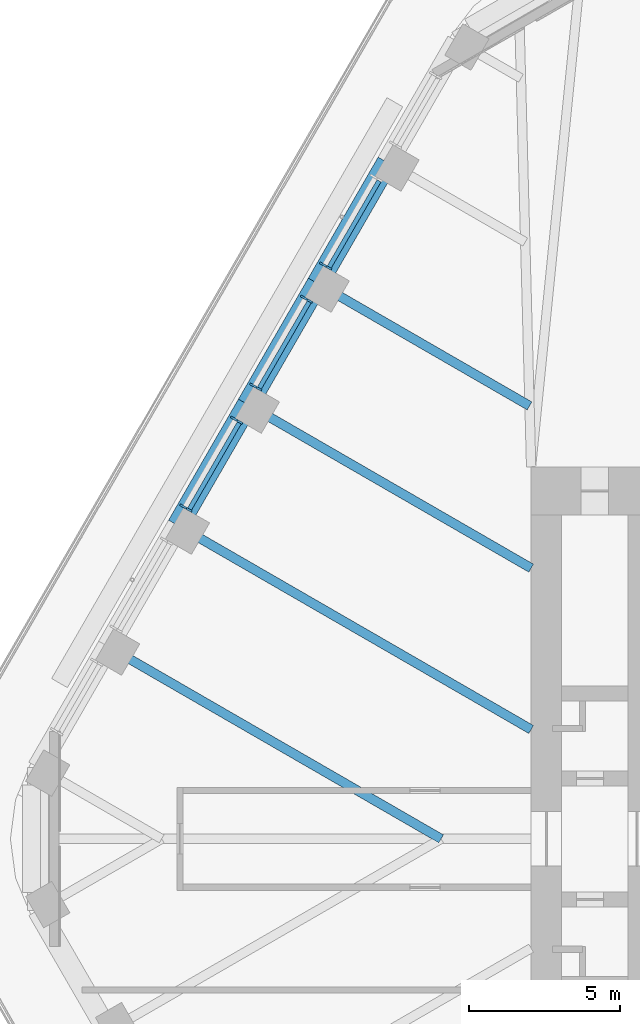
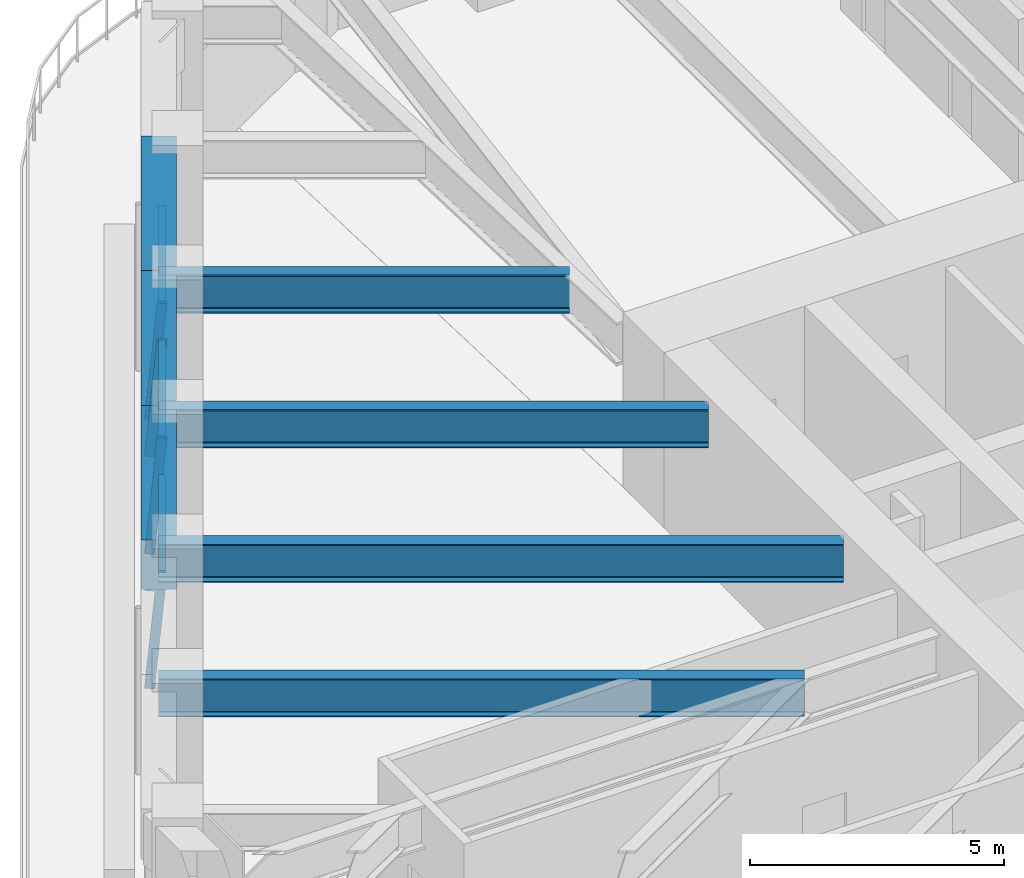
# One storey, part 7 of 20: 8 members, 7 beams, 3 elements without a shape of their own.
"""IFC4 building model written with IfcOpenShell, lengths in metres."""

from ifc_helpers import new_model, si_unit, direction, frame, origin, origin_2d, place, context, subcontext, project, spatial, rectangle, i_section, extrude, material, material_profile, profile_set, type_object, element, aggregate, save


model = new_model("IFC4")

# Units and contexts
model_context = context("Model", 3, precision=1e-05, world=origin(), true_north=direction((0.0, 1.0)))
body_context = subcontext(model_context, "Body", "Model", "MODEL_VIEW")
ifc_project = project(units=[si_unit("LENGTHUNIT", "METRE"), si_unit("AREAUNIT", "SQUARE_METRE"), si_unit("VOLUMEUNIT", "CUBIC_METRE"), si_unit("PLANEANGLEUNIT", "RADIAN"), si_unit("MASSUNIT", "GRAM", prefix="KILO")], contexts=[model_context])

# Site, building, storey
site_placement = place(None, origin())
site = spatial("IfcSite", under=ifc_project, at=site_placement, CompositionType="ELEMENT")
building_placement = place(site_placement, origin())
building = spatial("IfcBuilding", under=site, at=building_placement, Name="Tarfa Lantern Tower", CompositionType="ELEMENT")
storey_placement = place(building_placement, frame((0.0, 0.0, 257.5)))
storey = spatial("IfcBuildingStorey", under=building, at=storey_placement, Name="L58", CompositionType="ELEMENT", Elevation=257.5)

# Curtain wall, member
ifc_material_1 = material(Name="Aluminium framed curtain wall", Category="aluminium")
curtain_wall_type = type_object("IfcCurtainWallType", Name="CW3 CANTED GLAZING HIGH ZONE 2800", PredefinedType="USERDEFINED", material=ifc_material_1)
curtain_wall_1_placement = place(storey_placement, origin())
curtain_wall_1 = element("IfcCurtainWall", 1, at=curtain_wall_1_placement, inside=storey, type_object=curtain_wall_type, Name="CW3 NW L58", ObjectType="CURTAIN WALL", PredefinedType="USERDEFINED")
ifc_material_2 = material(Name="Aluminium mullion", Category="aluminium")
ifc_material_profile_1 = material_profile(ifc_material_2, rectangle(XDim=0.06494140625, YDim=0.199951171875, at=origin_2d()), Name="AL MULLION 65x200")
ifc_profile_set_1 = profile_set([ifc_material_profile_1], Name="Aluminium mullion")
member_type_1 = type_object("IfcMemberType", Name="CWM1 MULLION 65x200", PredefinedType="MULLION", material=ifc_profile_set_1)
member_1_placement = place(storey_placement, frame((-22.402587890625, 18.997802734375, 0.0), z_axis=(0.077032386753, -0.044465143199, 0.996036576854), x_axis=(0.499919672301, 0.866071776036, 0.0)))
member_1 = element("IfcMember", 2, at=member_1_placement, type_object=member_type_1, Name="CW3 mullion 2", PredefinedType="MULLION", context=body_context, shape_type="SweptSolid", body=[
    extrude(rectangle(XDim=0.06494140625, YDim=0.199951171875, at=origin_2d()), origin(), (0.0, 0.0, 1.0), 2.811279296875),
])

# Curtain wall, members
curtain_wall_2_placement = place(storey_placement, origin())
curtain_wall_2 = element("IfcCurtainWall", 3, at=curtain_wall_2_placement, inside=storey, type_object=curtain_wall_type, Name="CW3 NW L58", ObjectType="CURTAIN WALL", PredefinedType="USERDEFINED")
member_2_placement = place(storey_placement, frame((-23.034912109375, 17.90234375, 0.0), z_axis=(0.077032386753, -0.044465143199, 0.996036576854), x_axis=(0.499919672301, 0.866071776036, 0.0)))
member_2 = element("IfcMember", 4, at=member_2_placement, type_object=member_type_1, Name="CW3 mullion 1", PredefinedType="MULLION", context=body_context, shape_type="SweptSolid", body=[
    extrude(rectangle(XDim=0.06494140625, YDim=0.199951171875, at=origin_2d()), origin(), (0.0, 0.0, 1.0), 2.811279296875),
])
member_3_placement = place(storey_placement, frame((-24.7119140625, 14.997802734375, 0.0), z_axis=(0.077032386753, -0.044465143199, 0.996036576854), x_axis=(0.499919672301, 0.866071776036, 0.0)))
member_3 = element("IfcMember", 5, at=member_3_placement, type_object=member_type_1, Name="CW3 mullion 2", PredefinedType="MULLION", context=body_context, shape_type="SweptSolid", body=[
    extrude(rectangle(XDim=0.06494140625, YDim=0.199951171875, at=origin_2d()), origin(), (0.0, 0.0, 1.0), 2.811279296875),
])

curtain_wall_3_placement = place(storey_placement, origin())
curtain_wall_3 = element("IfcCurtainWall", 6, at=curtain_wall_3_placement, inside=storey, type_object=curtain_wall_type, Name="CW3 NW L58", ObjectType="CURTAIN WALL", PredefinedType="USERDEFINED")
member_4_placement = place(storey_placement, frame((-25.344482421875, 13.90234375, 0.0), z_axis=(0.077032386753, -0.044465143199, 0.996036576854), x_axis=(0.499919672301, 0.866071776036, 0.0)))
member_4 = element("IfcMember", 7, at=member_4_placement, type_object=member_type_1, Name="CW3 mullion 1", PredefinedType="MULLION", context=body_context, shape_type="SweptSolid", body=[
    extrude(rectangle(XDim=0.06494140625, YDim=0.199951171875, at=origin_2d()), origin(), (0.0, 0.0, 1.0), 2.811279296875),
])
member_5_placement = place(storey_placement, frame((-27.021240234375, 10.997802734375, 0.0), z_axis=(0.077032386753, -0.044465143199, 0.996036576854), x_axis=(0.499919672301, 0.866071776036, 0.0)))
member_5 = element("IfcMember", 8, at=member_5_placement, type_object=member_type_1, Name="CW3 mullion 2", PredefinedType="MULLION", context=body_context, shape_type="SweptSolid", body=[
    extrude(rectangle(XDim=0.06494140625, YDim=0.199951171875, at=origin_2d()), origin(), (0.0, 0.0, 1.0), 2.811279296875),
])

# Member
ifc_material_3 = material(Name="Aluminium transom", Category="aluminium")
ifc_material_profile_2 = material_profile(ifc_material_3, rectangle(XDim=0.14990234375, YDim=0.06494140625, at=origin_2d()), Name="AL TRANSOM 150x65")
ifc_profile_set_2 = profile_set([ifc_material_profile_2], Name="Aluminium transom")
member_type_2 = type_object("IfcMemberType", Name="CWT1 TRANSOM 150x65", PredefinedType="USERDEFINED", material=ifc_profile_set_2)
member_6_placement = place(storey_placement, frame((-20.52783203125, 21.75048828125, 2.767578125), z_axis=(-0.499979497339, -0.866037240677, 0.0), x_axis=(0.866037240677, -0.499979497339, 0.0)))
member_6 = element("IfcMember", 9, at=member_6_placement, type_object=member_type_2, Name="CW3 transom 1.2", ObjectType="TRANSOM", PredefinedType="USERDEFINED", context=body_context, shape_type="SweptSolid", body=[
    extrude(rectangle(XDim=0.14990234375, YDim=0.06494140625, at=origin_2d()), origin(), (0.0, 0.0, 1.0), 3.288818359375),
])

aggregate(curtain_wall_1, [member_1, member_6])

member_7_placement = place(storey_placement, frame((-22.837158203125, 17.75048828125, 2.767578125), z_axis=(-0.500035172766, -0.866005095826, 0.0), x_axis=(0.866005095826, -0.500035172766, 0.0)))
member_7 = element("IfcMember", 10, at=member_7_placement, type_object=member_type_2, Name="CW3 transom 1.2", ObjectType="TRANSOM", PredefinedType="USERDEFINED", context=body_context, shape_type="SweptSolid", body=[
    extrude(rectangle(XDim=0.14990234375, YDim=0.06494140625, at=origin_2d()), origin(), (0.0, 0.0, 1.0), 3.288818359375),
])

aggregate(curtain_wall_2, [member_2, member_3, member_7])

member_8_placement = place(storey_placement, frame((-25.146728515625, 13.75048828125, 2.767578125), z_axis=(-0.499979497339, -0.866037240677, 0.0), x_axis=(0.866037240677, -0.499979497339, 0.0)))
member_8 = element("IfcMember", 11, at=member_8_placement, type_object=member_type_2, Name="CW3 transom 1.2", ObjectType="TRANSOM", PredefinedType="USERDEFINED", context=body_context, shape_type="SweptSolid", body=[
    extrude(rectangle(XDim=0.14990234375, YDim=0.06494140625, at=origin_2d()), origin(), (0.0, 0.0, 1.0), 3.288818359375),
])

aggregate(curtain_wall_3, [member_4, member_5, member_8])

# Beams
ifc_material_4 = material(Name="Concrete C80/95", Category="concrete")
ifc_material_profile_3 = material_profile(ifc_material_4, rectangle(XDim=0.699951171875, YDim=1.199951171875, at=origin_2d()), Name="RC 700x1200")
ifc_profile_set_3 = profile_set([ifc_material_profile_3], Name="Concrete C80/95")
beam_type_1 = type_object("IfcBeamType", Name="EB3 RC 700x1200", PredefinedType="SPANDREL", material=ifc_profile_set_3)
beam_1_placement = place(storey_placement, frame((-20.25341796875, 22.360107421875, 3.39990234375), z_axis=(-0.499987836815, -0.866032426089, 0.0), x_axis=(0.866032426089, -0.499987836815, 0.0)))
element("IfcBeam", 12, at=beam_1_placement, inside=storey, type_object=beam_type_1, Name="Edge beam NW1", PredefinedType="SPANDREL", context=body_context, shape_type="SweptSolid", body=[
    extrude(rectangle(XDim=0.699951171875, YDim=1.199951171875, at=origin_2d()), origin(), (0.0, 0.0, 1.0), 4.61865234375),
])
beam_2_placement = place(storey_placement, frame((-22.562744140625, 18.360107421875, 3.39990234375), z_axis=(-0.500027479704, -0.866009537788, 0.0), x_axis=(0.866009537788, -0.500027479704, 0.0)))
element("IfcBeam", 13, at=beam_2_placement, inside=storey, type_object=beam_type_1, Name="Edge beam NW2", PredefinedType="SPANDREL", context=body_context, shape_type="SweptSolid", body=[
    extrude(rectangle(XDim=0.699951171875, YDim=1.199951171875, at=origin_2d()), origin(), (0.0, 0.0, 1.0), 4.618896484375),
])
beam_3_placement = place(storey_placement, frame((-24.872314453125, 14.360107421875, 3.39990234375), z_axis=(-0.499987836815, -0.866032426089, 0.0), x_axis=(0.866032426089, -0.499987836815, 0.0)))
element("IfcBeam", 14, at=beam_3_placement, inside=storey, type_object=beam_type_1, Name="Edge beam NW3", PredefinedType="SPANDREL", context=body_context, shape_type="SweptSolid", body=[
    extrude(rectangle(XDim=0.699951171875, YDim=1.199951171875, at=origin_2d()), origin(), (0.0, 0.0, 1.0), 4.61865234375),
])
ifc_material_5 = material(Name="Steel S460M", Category="steel")
ifc_material_profile_4 = material_profile(ifc_material_5, i_section(OverallWidth=0.305419921875, OverallDepth=0.91845703125, WebThickness=0.017333984375, FlangeThickness=0.02783203125, FilletRadius=0.01904296875, at=origin_2d()), Name="UB914x305x253")
ifc_profile_set_4 = profile_set([ifc_material_profile_4], Name="Steel S460M")
beam_type_2 = type_object("IfcBeamType", Name="UB914x305x253", PredefinedType="BEAM", material=ifc_profile_set_4)
beam_4_placement = place(storey_placement, frame((-22.562744140625, 18.360107421875, 3.540771484375), z_axis=(0.866010787764, -0.500025314835, 0.0), x_axis=(0.500025314835, 0.866010787764, 0.0)))
element("IfcBeam", 15, at=beam_4_placement, inside=storey, type_object=beam_type_2, Name="Floor beam NW2", PredefinedType="BEAM", context=body_context, shape_type="SweptSolid", body=[
    extrude(i_section(OverallWidth=0.305419921875, OverallDepth=0.91845703125, WebThickness=0.017333984375, FlangeThickness=0.02783203125, FilletRadius=0.01904296875, at=origin_2d()), origin(), (0.0, 0.0, 1.0), 8.09423828125),
])
beam_5_placement = place(storey_placement, frame((-24.872314453125, 14.360107421875, 3.540771484375), z_axis=(0.8660244219, -0.500001700669, 0.0), x_axis=(0.500001700669, 0.8660244219, 0.0)))
element("IfcBeam", 16, at=beam_5_placement, inside=storey, type_object=beam_type_2, Name="Floor beam NW3", PredefinedType="BEAM", context=body_context, shape_type="SweptSolid", body=[
    extrude(i_section(OverallWidth=0.305419921875, OverallDepth=0.91845703125, WebThickness=0.017333984375, FlangeThickness=0.02783203125, FilletRadius=0.01904296875, at=origin_2d()), origin(), (0.0, 0.0, 1.0), 10.822265625),
])
beam_6_placement = place(storey_placement, frame((-27.181640625, 10.360107421875, 3.540771484375), z_axis=(0.866018002818, -0.500012818631, 0.0), x_axis=(0.500012818631, 0.866018002818, 0.0)))
element("IfcBeam", 17, at=beam_6_placement, inside=storey, type_object=beam_type_2, Name="Floor beam NW4", PredefinedType="BEAM", context=body_context, shape_type="SweptSolid", body=[
    extrude(i_section(OverallWidth=0.305419921875, OverallDepth=0.91845703125, WebThickness=0.017333984375, FlangeThickness=0.02783203125, FilletRadius=0.01904296875, at=origin_2d()), origin(), (0.0, 0.0, 1.0), 13.489013671875),
])
beam_7_placement = place(storey_placement, frame((-29.490966796875, 6.360107421875, 3.540771484375), z_axis=(0.866022258038, -0.500005448553, 0.0), x_axis=(0.500005448553, 0.866022258038, 0.0)))
element("IfcBeam", 18, at=beam_7_placement, inside=storey, type_object=beam_type_2, Name="Floor beam NW5", PredefinedType="BEAM", context=body_context, shape_type="SweptSolid", body=[
    extrude(i_section(OverallWidth=0.305419921875, OverallDepth=0.91845703125, WebThickness=0.017333984375, FlangeThickness=0.02783203125, FilletRadius=0.01904296875, at=origin_2d()), origin(), (0.0, 0.0, 1.0), 12.719970703125),
])

save(model, "model.ifc")
